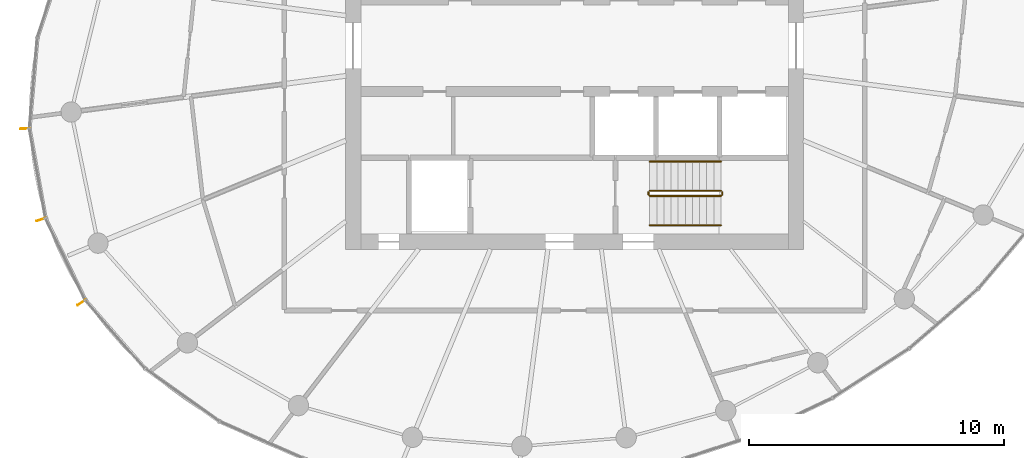
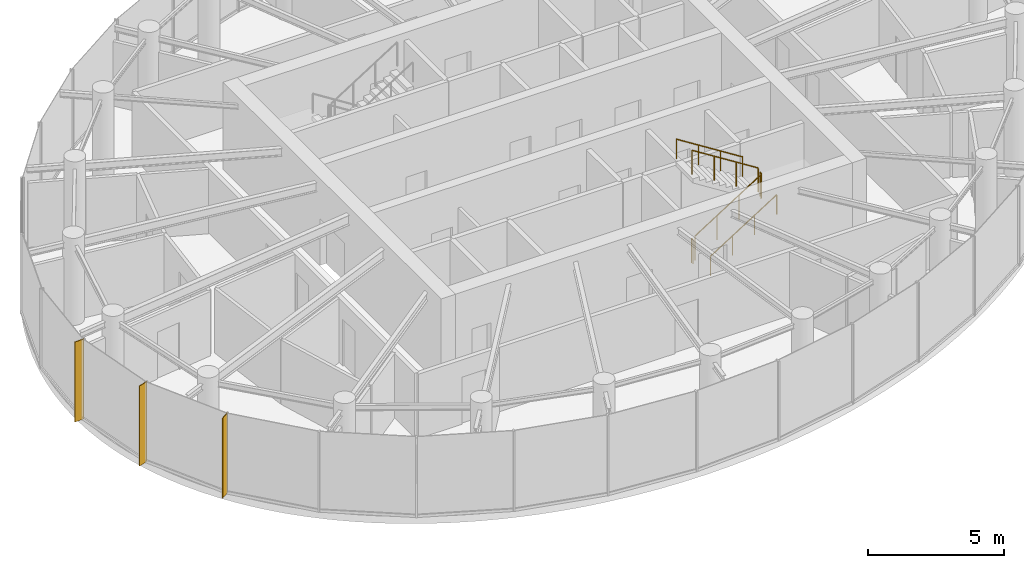
# One storey, part 12 of 13: 6 railings, 3 shading devices.
"""IFC4 building model written with IfcOpenShell, lengths in metres."""

from ifc_helpers import new_model, si_unit, direction, frame, origin, origin_2d, place, context, subcontext, project, spatial, rectangle, circle, extrude, source, transform, mapped, material, material_profile, profile_set, type_object, element, save


model = new_model("IFC4")

# Units and contexts
model_context = context("Model", 3, precision=1e-05, world=origin(), true_north=direction((0.0, 1.0)))
body_context = subcontext(model_context, "Body", "Model", "MODEL_VIEW")
ifc_project = project(units=[si_unit("LENGTHUNIT", "METRE"), si_unit("AREAUNIT", "SQUARE_METRE"), si_unit("VOLUMEUNIT", "CUBIC_METRE"), si_unit("PLANEANGLEUNIT", "RADIAN"), si_unit("MASSUNIT", "GRAM", prefix="KILO")], contexts=[model_context])

# Site, building, storey
site_placement = place(None, origin())
site = spatial("IfcSite", under=ifc_project, at=site_placement, CompositionType="ELEMENT")
building_placement = place(site_placement, origin())
building = spatial("IfcBuilding", under=site, at=building_placement, Name="Spindrift Exchange Tower", CompositionType="ELEMENT")
storey_placement = place(building_placement, frame((0.0, 0.0, 250.10009765625)))
storey = spatial("IfcBuildingStorey", under=building, at=storey_placement, Name="L61", CompositionType="ELEMENT", Elevation=250.10009765625)

# Railings
ifc_material_1 = material(Name="Steel balustrade", Category="steel")
railing_type_1 = type_object("IfcRailingType", Name="RL-STAIR-GUARD", PredefinedType="GUARDRAIL", material=ifc_material_1)
railing_1_placement = place(storey_placement, frame((54.949951171875, 42.10009765625, 0.17724609375)))
element("IfcRailing", 1, at=railing_1_placement, inside=storey, type_object=railing_type_1, Name="L61 ST2 stair guard 1", PredefinedType="GUARDRAIL", context=body_context, shape_type="SweptSolid", body=[
    extrude(circle(Radius=0.02392578125, at=origin_2d()), frame((0.0, 0.0, 1.076171875), z_axis=(0.844908973607, 0.0, 0.534910110503), x_axis=(0.0, 1.0, 0.0)), (0.0, 0.0, 1.0), 3.31396484375),
    extrude(circle(Radius=0.02099609375, at=origin_2d()), origin(), (0.0, 0.0, 1.0), 1.052001953125),
    extrude(circle(Radius=0.02099609375, at=origin_2d()), frame((0.933349609375, 0.0, 0.5908203125)), (0.0, 0.0, 1.0), 1.052001953125),
    extrude(circle(Radius=0.02099609375, at=origin_2d()), frame((1.86669921875, 0.0, 1.181884765625)), (0.0, 0.0, 1.0), 1.052001953125),
    extrude(circle(Radius=0.02099609375, at=origin_2d()), frame((2.800048828125, 0.0, 1.772705078125)), (0.0, 0.0, 1.0), 1.052001953125),
])
railing_2_placement = place(storey_placement, frame((57.800048828125, 42.14990234375, 1.949951171875)))
element("IfcRailing", 2, at=railing_2_placement, inside=storey, type_object=railing_type_1, Name="L61 ST2 stair guard 2", PredefinedType="GUARDRAIL", context=body_context, shape_type="SweptSolid", body=[
    extrude(circle(Radius=0.02392578125, at=origin_2d()), frame((0.0, 0.0, 1.076171875), z_axis=(0.0, 1.0, 0.0), x_axis=(-1.0, 0.0, 0.0)), (0.0, 0.0, 1.0), 0.10009765625),
    extrude(circle(Radius=0.02099609375, at=origin_2d()), origin(), (0.0, 0.0, 1.0), 1.052001953125),
    extrude(circle(Radius=0.02099609375, at=origin_2d()), frame((0.0, 0.10009765625, 0.0)), (0.0, 0.0, 1.0), 1.052001953125),
])
railing_3_placement = place(storey_placement, frame((57.75, 42.300048828125, 2.127197265625)))
element("IfcRailing", 3, at=railing_3_placement, inside=storey, type_object=railing_type_1, Name="L61 ST2 stair guard 3", PredefinedType="GUARDRAIL", context=body_context, shape_type="SweptSolid", body=[
    extrude(circle(Radius=0.02392578125, at=origin_2d()), frame((0.0, 0.0, 1.076171875), z_axis=(-0.844908973607, 0.0, 0.534910110503), x_axis=(0.0, -1.0, 0.0)), (0.0, 0.0, 1.0), 3.31396484375),
    extrude(circle(Radius=0.02099609375, at=origin_2d()), origin(), (0.0, 0.0, 1.0), 1.052001953125),
    extrude(circle(Radius=0.02099609375, at=origin_2d()), frame((-0.933349609375, 0.0, 0.5908203125)), (0.0, 0.0, 1.0), 1.052001953125),
    extrude(circle(Radius=0.02099609375, at=origin_2d()), frame((-1.86669921875, 0.0, 1.181884765625)), (0.0, 0.0, 1.0), 1.052001953125),
    extrude(circle(Radius=0.02099609375, at=origin_2d()), frame((-2.800048828125, 0.0, 1.772705078125)), (0.0, 0.0, 1.0), 1.052001953125),
])
railing_4_placement = place(storey_placement, frame((54.89990234375, 42.14990234375, 0.0)))
element("IfcRailing", 4, at=railing_4_placement, inside=storey, type_object=railing_type_1, Name="L61 ST2 stair guard 4", PredefinedType="GUARDRAIL", context=body_context, shape_type="SweptSolid", body=[
    extrude(circle(Radius=0.02392578125, at=origin_2d()), frame((0.0, 0.0, 1.076171875), z_axis=(0.0, 1.0, 0.0), x_axis=(-1.0, 0.0, 0.0)), (0.0, 0.0, 1.0), 0.10009765625),
    extrude(circle(Radius=0.02099609375, at=origin_2d()), origin(), (0.0, 0.0, 1.0), 1.052001953125),
    extrude(circle(Radius=0.02099609375, at=origin_2d()), frame((0.0, 0.10009765625, 0.0)), (0.0, 0.0, 1.0), 1.052001953125),
])
ifc_material_2 = material(Name="Steel tubular handrail", Category="steel")
railing_type_2 = type_object("IfcRailingType", Name="RL-STAIR-HAND", PredefinedType="HANDRAIL", material=ifc_material_2)
railing_5_placement = place(storey_placement, frame((54.949951171875, 40.949951171875, 0.17724609375)))
element("IfcRailing", 5, at=railing_5_placement, inside=storey, type_object=railing_type_2, Name="L61 ST2 stair handrail 1", PredefinedType="HANDRAIL", context=body_context, shape_type="SweptSolid", body=[
    extrude(circle(Radius=0.02392578125, at=origin_2d()), frame((0.0, 0.0, 0.8759765625), z_axis=(0.844908973607, 0.0, 0.534910110503), x_axis=(0.0, 1.0, 0.0)), (0.0, 0.0, 1.0), 3.31396484375),
    extrude(circle(Radius=0.02099609375, at=origin_2d()), origin(), (0.0, 0.0, 1.0), 0.851806640625),
    extrude(circle(Radius=0.02099609375, at=origin_2d()), frame((0.933349609375, 0.0, 0.5908203125)), (0.0, 0.0, 1.0), 0.851806640625),
    extrude(circle(Radius=0.02099609375, at=origin_2d()), frame((1.86669921875, 0.0, 1.181884765625)), (0.0, 0.0, 1.0), 0.851806640625),
    extrude(circle(Radius=0.02099609375, at=origin_2d()), frame((2.800048828125, 0.0, 1.772705078125)), (0.0, 0.0, 1.0), 0.851806640625),
])
railing_6_placement = place(storey_placement, frame((57.75, 43.449951171875, 2.127197265625)))
element("IfcRailing", 6, at=railing_6_placement, inside=storey, type_object=railing_type_2, Name="L61 ST2 stair handrail 2", PredefinedType="HANDRAIL", context=body_context, shape_type="SweptSolid", body=[
    extrude(circle(Radius=0.02392578125, at=origin_2d()), frame((0.0, 0.0, 0.8759765625), z_axis=(-0.844908973607, 0.0, 0.534910110503), x_axis=(0.0, -1.0, 0.0)), (0.0, 0.0, 1.0), 3.31396484375),
    extrude(circle(Radius=0.02099609375, at=origin_2d()), origin(), (0.0, 0.0, 1.0), 0.851806640625),
    extrude(circle(Radius=0.02099609375, at=origin_2d()), frame((-0.933349609375, 0.0, 0.5908203125)), (0.0, 0.0, 1.0), 0.851806640625),
    extrude(circle(Radius=0.02099609375, at=origin_2d()), frame((-1.86669921875, 0.0, 1.181884765625)), (0.0, 0.0, 1.0), 0.851806640625),
    extrude(circle(Radius=0.02099609375, at=origin_2d()), frame((-2.800048828125, 0.0, 1.772705078125)), (0.0, 0.0, 1.0), 0.851806640625),
])

# Shading devices
ifc_material_3 = material(Name="Bronze anodised aluminium", Category="aluminium")
ifc_material_profile = material_profile(ifc_material_3, rectangle(XDim=0.030029296875, YDim=0.39990234375, at=origin_2d()), Name="WIND FIN 30X400")
ifc_profile_set = profile_set([ifc_material_profile], Name="Bronze anodised aluminium")
shading_device_type = type_object("IfcShadingDeviceType", Name="WIND FIN 30X400", PredefinedType="USERDEFINED", material=ifc_profile_set)
shared_shape = source(origin(), body_context, "Body", "SweptSolid", [
    extrude(rectangle(XDim=0.030029296875, YDim=0.39990234375, at=origin_2d()), origin(), (0.0, 0.0, 1.0), 3.579833984375),
])
for number, where, z_axis, x_axis, name in (
    (7, (30.414794921875, 44.74267578125, 0.0), (0.0, 0.0, 1.0), (0.045389141102, -0.998969381848, 0.0), "L61 wind fin 1"),
    (8, (31.053955078125, 41.17626953125, 0.0), (0.0, 0.0, 1.0), (0.309762197548, -0.950814062249, 0.0), "L61 wind fin 2"),
    (9, (32.63818359375, 37.917724609375, 0.0), (0.0, 0.0, 1.0), (0.551752135279, -0.834008142175, 0.0), "L61 wind fin 3"),
):
    element("IfcShadingDevice", number, at=place(storey_placement, frame(where, z_axis=z_axis, x_axis=x_axis)), inside=storey, type_object=shading_device_type, Name=name, ObjectType="FIN", PredefinedType="USERDEFINED", context=body_context, shape_type="MappedRepresentation", body=[
        mapped(shared_shape, transform((0.0, 0.0, 0.0), scale=1.0)),
    ])

save(model, "model.ifc")
